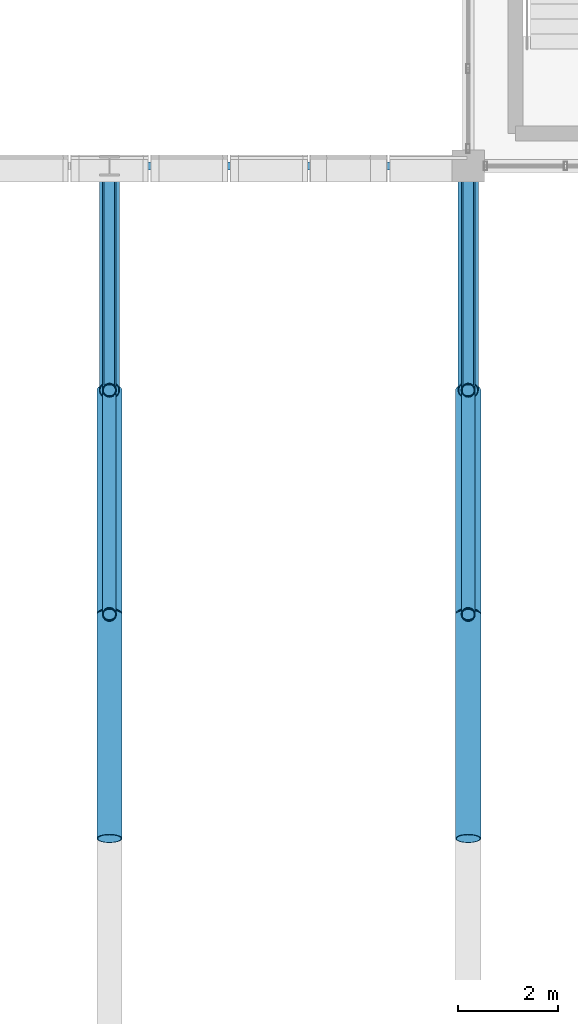
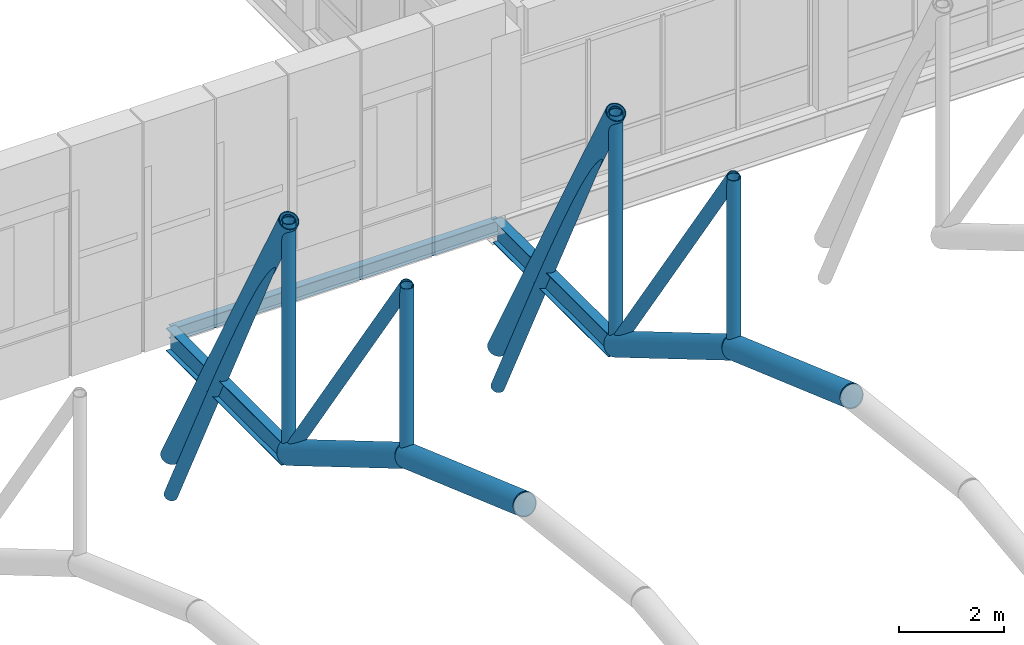
# One storey, part 41 of 144: 14 members, 3 beams.
"""IFC4 building model written with IfcOpenShell, lengths in metres."""

import ifcopenshell
import ifcopenshell.guid

model = None  # the IFC model being written
_history = None  # IfcOwnerHistory: only IFC2X3 demands one
_inside = {}  # id of a spatial element -> (the spatial element, [elements in it])
_under = {}  # id of a project, library or spatial element -> (it, [spatial elements below it])
_declared = {}  # id of a project -> (the project, [libraries it declares])
_typed = {}  # id of a type object -> (the type object, [elements of that type])
_made_of = {}  # id of a material, layer set ... -> (it, [elements and type objects made of it])


def new_model(schema):
    """Start an empty IFC model of exactly this schema.

    Asked for "IFC4X3", IfcOpenShell would pick the latest addendum, in which some entities
    have other attributes; the version numbers below select the first issue.
    IFC2X3 requires an IfcOwnerHistory on every rooted entity: one is made here for all.
    """
    global model, _history
    if schema == "IFC4X3":
        model = ifcopenshell.file(schema_version=(4, 3, 0, 0))
    else:
        model = ifcopenshell.file(schema=schema)
    _inside.clear()
    _under.clear()
    _declared.clear()
    _typed.clear()
    _made_of.clear()
    _history = None
    if model.schema == "IFC2X3":
        org = make("IfcOrganization", Name="unknown")
        user = make(
            "IfcPersonAndOrganization",
            ThePerson=make("IfcPerson", FamilyName="unknown"),
            TheOrganization=org,
        )
        app = make(
            "IfcApplication",
            ApplicationDeveloper=org,
            Version="unknown",
            ApplicationFullName="unknown",
            ApplicationIdentifier="unknown",
        )
        _history = make(
            "IfcOwnerHistory",
            OwningUser=user,
            OwningApplication=app,
            ChangeAction="ADDED",
            CreationDate=0,
        )
    return model


def make(cls, **values):
    """One entity of the class cls with the attributes given. An attribute that is None is left unset."""
    return model.create_entity(
        cls, **{name: value for name, value in values.items() if value is not None}
    )


def rooted(cls, **values):
    """An entity with a GlobalId (a new one), such as an element, a storey or a relation."""
    return make(cls, GlobalId=ifcopenshell.guid.new(), OwnerHistory=_history, **values)


def si_unit(unit_type, name, prefix=None):
    """IfcSIUnit, for example si_unit("LENGTHUNIT", "METRE", prefix="MILLI")."""
    return make("IfcSIUnit", UnitType=unit_type, Prefix=prefix, Name=name)


def assignment(units):
    """IfcUnitAssignment: the units of a project."""
    return None if units is None else make("IfcUnitAssignment", Units=units)


def point(xyz):
    """IfcCartesianPoint."""
    return None if xyz is None else make("IfcCartesianPoint", Coordinates=xyz)


def direction(xyz):
    """IfcDirection."""
    return None if xyz is None else make("IfcDirection", DirectionRatios=xyz)


def frame(location, z_axis=None, x_axis=None):
    """IfcAxis2Placement3D, a coordinate frame: its origin and axes. An axis left out is left unset."""
    return make(
        "IfcAxis2Placement3D",
        Location=point(location),
        Axis=direction(z_axis),
        RefDirection=direction(x_axis),
    )


def frame_2d(location, x_axis=None):
    """IfcAxis2Placement2D, a coordinate frame in the plane: its origin and x axis."""
    return make(
        "IfcAxis2Placement2D", Location=point(location), RefDirection=direction(x_axis)
    )


def origin():
    """The frame at (0, 0, 0) with its axes left unset."""
    return frame((0.0, 0.0, 0.0))


def origin_2d():
    """The frame at (0, 0) in the plane with its x axis left unset."""
    return frame_2d((0.0, 0.0))


def place(relative_to, where):
    """IfcLocalPlacement: puts the frame where relative to a parent placement (None: the world)."""
    return make(
        "IfcLocalPlacement", PlacementRelTo=relative_to, RelativePlacement=where
    )


def context(
    kind, dimensions, precision=None, world=None, true_north=None, identifier=None
):
    """IfcGeometricRepresentationContext, for example the 3D "Model" context."""
    return make(
        "IfcGeometricRepresentationContext",
        ContextIdentifier=identifier,
        ContextType=kind,
        CoordinateSpaceDimension=dimensions,
        Precision=precision,
        WorldCoordinateSystem=world,
        TrueNorth=true_north,
    )


def subcontext(parent, identifier, kind, view, scale=None):
    """IfcGeometricRepresentationSubContext, for example "Body" below "Model"."""
    return make(
        "IfcGeometricRepresentationSubContext",
        ContextIdentifier=identifier,
        ContextType=kind,
        ParentContext=parent,
        TargetScale=scale,
        TargetView=view,
    )


def project(units=None, contexts=None):
    """IfcProject with its units and contexts."""
    return rooted(
        "IfcProject",
        Name="project",
        RepresentationContexts=contexts,
        UnitsInContext=assignment(units),
    )


def spatial(cls, under=None, at=None, **own):
    """A site, building, storey or space (cls), placed at a placement, below another one or the project."""
    s = rooted(cls, ObjectPlacement=at, **own)
    if under is not None:
        _under.setdefault(under.id(), (under, []))[1].append(s)
    return s


def profile(cls, at=None, kind="AREA", **sizes):
    """A parametric profile (cls). Its sizes go by their IFC names, for example OverallWidth=200.0."""
    return make(cls, ProfileType=kind, Position=at, **sizes)


def hollow_circle(**sizes):
    """IfcCircleHollowProfileDef."""
    return profile("IfcCircleHollowProfileDef", **sizes)


def i_section(**sizes):
    """IfcIShapeProfileDef."""
    return profile("IfcIShapeProfileDef", **sizes)


def extrude(swept, where, along, depth):
    """IfcExtrudedAreaSolid: the profile swept, set in the frame where, extruded along a direction by depth."""
    return make(
        "IfcExtrudedAreaSolid",
        SweptArea=swept,
        Position=where,
        ExtrudedDirection=direction(along),
        Depth=depth,
    )


def shape(context_of_items, identifier, shape_type, items):
    """IfcShapeRepresentation: the items that make up one representation, for example the "Body"."""
    return make(
        "IfcShapeRepresentation",
        ContextOfItems=context_of_items,
        RepresentationIdentifier=identifier,
        RepresentationType=shape_type,
        Items=items,
    )


def material(Name=None, Category=None):
    """IfcMaterial."""
    return make("IfcMaterial", Name=Name, Category=Category)


def material_profile(
    of_material, cross_section, Name=None, Category=None, Priority=None
):
    """IfcMaterialProfile: a cross section and its material."""
    return make(
        "IfcMaterialProfile",
        Name=Name,
        Material=of_material,
        Profile=cross_section,
        Priority=Priority,
        Category=Category,
    )


def profile_set(profiles, Name=None, composite=None):
    """IfcMaterialProfileSet."""
    return make(
        "IfcMaterialProfileSet",
        Name=Name,
        MaterialProfiles=profiles,
        CompositeProfile=composite,
    )


def made_of(thing, what):
    """Note that an element or type object is made of a material, layer set ...; save() writes the relation."""
    if what is not None:
        _made_of.setdefault(what.id(), (what, []))[1].append(thing)
    return thing


def type_object(cls, material=None, **own):
    """A type object (cls), such as IfcWallType, which elements share."""
    return made_of(rooted(cls, **own), material)


def element(
    cls,
    number,
    at=None,
    inside=None,
    cuts=None,
    type_object=None,
    material=None,
    context=None,
    identifier="Body",
    shape_type=None,
    held_by="IfcProductDefinitionShape",
    body=None,
    shapes=None,
    **own,
):
    """One element of the class cls, such as IfcWall. Its Tag is "e" and its number.

    at: its placement. inside: the storey or other place that contains it. cuts: it is an
    opening in that element (IfcRelVoidsElement). A single representation is given by context,
    identifier, shape_type and body (its items); several are given by shapes. held_by: the class
    of the entity that holds the representations. save() writes the other relations.
    """
    e = rooted(cls, Tag="e%d" % number, ObjectPlacement=at, **own)
    if body is not None:
        shapes = [shape(context, identifier, shape_type, body)]
    if shapes is not None:
        e.Representation = make(held_by, Representations=shapes)
    if inside is not None:
        _inside.setdefault(inside.id(), (inside, []))[1].append(e)
    if cuts is not None:
        rooted(
            "IfcRelVoidsElement", RelatingBuildingElement=cuts, RelatedOpeningElement=e
        )
    if type_object is not None:
        _typed.setdefault(type_object.id(), (type_object, []))[1].append(e)
    return made_of(e, material)


def aggregate(whole, parts):
    """IfcRelAggregates: a whole, such as a stair, and the parts it consists of."""
    return rooted("IfcRelAggregates", RelatingObject=whole, RelatedObjects=parts)


def save(model, path):
    """Write the relations noted so far, then the file.

    IfcRelAggregates (storeys below a building ...), IfcRelContainedInSpatialStructure (elements
    in a storey), IfcRelDefinesByType, IfcRelAssociatesMaterial and IfcRelDeclares: one each for
    every whole, place, type object, material and project.
    """
    for whole, parts in _under.values():
        aggregate(whole, parts)
    for where, things in _inside.values():
        rooted(
            "IfcRelContainedInSpatialStructure",
            RelatedElements=things,
            RelatingStructure=where,
        )
    for kind, things in _typed.values():
        rooted("IfcRelDefinesByType", RelatedObjects=things, RelatingType=kind)
    for what, things in _made_of.values():
        rooted("IfcRelAssociatesMaterial", RelatedObjects=things, RelatingMaterial=what)
    for by, libraries in _declared.values():
        rooted("IfcRelDeclares", RelatingContext=by, RelatedDefinitions=libraries)
    model.write(path)


model = new_model("IFC4")

# Units and contexts
model_context = context("Model", 3, precision=1e-05, world=origin(), true_north=direction((0.0, 1.0)))
body_context = subcontext(model_context, "Body", "Model", "MODEL_VIEW")
ifc_project = project(units=[si_unit("LENGTHUNIT", "METRE"), si_unit("AREAUNIT", "SQUARE_METRE"), si_unit("VOLUMEUNIT", "CUBIC_METRE"), si_unit("PLANEANGLEUNIT", "RADIAN"), si_unit("MASSUNIT", "GRAM", prefix="KILO")], contexts=[model_context])

# Site, building, storey
site_placement = place(None, origin())
site = spatial("IfcSite", under=ifc_project, at=site_placement, CompositionType="ELEMENT")
building_placement = place(site_placement, origin())
building = spatial("IfcBuilding", under=site, at=building_placement, Name="Yarey Park Central Fire Station", CompositionType="ELEMENT")
storey_placement = place(building_placement, frame((0.0, 0.0, 10.199951171875)))
storey = spatial("IfcBuildingStorey", under=building, at=storey_placement, Name="L03", CompositionType="ELEMENT", Elevation=10.199951171875)

# Beams
ifc_material_1 = material(Name="Steel ASTM A992 Gr. 50", Category="steel")
ifc_material_profile_1 = material_profile(ifc_material_1, i_section(OverallWidth=0.208984375, OverallDepth=0.532958984375, WebThickness=0.01025390625, FlangeThickness=0.015625, at=origin_2d()), Name="W530x92")
ifc_profile_set_1 = profile_set([ifc_material_profile_1], Name="Steel ASTM A992 Gr. 50")
beam_type_1 = type_object("IfcBeamType", Name="STR_BM_W530", PredefinedType="BEAM", material=ifc_profile_set_1)
for number, where, z_axis, x_axis, name in (
    (1, (108.0, 89.199951171875, -0.54638671875), (0.0, 1.0, 0.0), (-1.0, 0.0, 0.0), "V2 BOX OUT N L03 108"),
    (2, (115.199951171875, 89.199951171875, -0.54638671875), (0.0, 1.0, 0.0), (-1.0, 0.0, 0.0), "V2 BOX OUT N L03 115"),
):
    element("IfcBeam", number, at=place(storey_placement, frame(where, z_axis=z_axis, x_axis=x_axis)), inside=storey, type_object=beam_type_1, Name=name, PredefinedType="BEAM", context=body_context, shape_type="SweptSolid", body=[
        extrude(i_section(OverallWidth=0.208984375, OverallDepth=0.532958984375, WebThickness=0.01025390625, FlangeThickness=0.015625, at=origin_2d()), origin(), (0.0, 0.0, 1.0), 4.400146484375),
    ])

# Members
ifc_material_2 = material(Name="Steel ASTM A500 Gr. C", Category="steel")
ifc_material_profile_2 = material_profile(ifc_material_2, hollow_circle(Radius=0.203125, WallThickness=0.01611328125, at=origin_2d()), Name="CHS 406.4x16")
ifc_profile_set_2 = profile_set([ifc_material_profile_2], Name="Steel ASTM A500 Gr. C")
member_type_1 = type_object("IfcMemberType", Name="STR_CHORD_CHS406", PredefinedType="CHORD", material=ifc_profile_set_2)
for number, where, z_axis, x_axis, name in (
    (3, (108.0, 89.10009765625, 4.91748046875), (0.0, 0.481210036658, -0.876605327738), (-1.0, 0.0, 0.0), "Arched Roof Truss ART_08 Top Chord 8"),
    (4, (115.199951171875, 89.10009765625, 4.91748046875), (0.0, 0.481210036658, -0.876605327738), (-1.0, 0.0, 0.0), "Arched Roof Truss ART_09 Top Chord 8"),
):
    element("IfcMember", number, at=place(storey_placement, frame(where, z_axis=z_axis, x_axis=x_axis)), inside=storey, type_object=member_type_1, Name=name, PredefinedType="CHORD", context=body_context, shape_type="SweptSolid", body=[
        extrude(hollow_circle(Radius=0.203125, WallThickness=0.01611328125, at=origin_2d()), origin(), (0.0, 0.0, 1.0), 9.351318359375),
    ])
ifc_material_profile_3 = material_profile(ifc_material_2, hollow_circle(Radius=0.25390625, WallThickness=0.02001953125, at=origin_2d()), Name="CHS 508x20")
ifc_profile_set_3 = profile_set([ifc_material_profile_3], Name="Steel ASTM A500 Gr. C")
member_type_2 = type_object("IfcMemberType", Name="STR_CHORD_CHS508", PredefinedType="CHORD", material=ifc_profile_set_3)
member_1_placement = place(storey_placement, frame((108.0, 80.10009765625, 3.768798828125), z_axis=(0.0, 0.942627225161, -0.333847142245), x_axis=(-1.0, 0.0, 0.0)))
element("IfcMember", 5, at=member_1_placement, inside=storey, type_object=member_type_2, Name="Arched Roof Truss ART_08 Bottom Chord 6", PredefinedType="CHORD", context=body_context, shape_type="SweptSolid", body=[
    extrude(hollow_circle(Radius=0.25390625, WallThickness=0.02001953125, at=origin_2d()), origin(), (0.0, 0.0, 1.0), 4.77392578125),
])
member_2_placement = place(storey_placement, frame((108.0, 84.60009765625, 2.175048828125), z_axis=(0.0, 0.8611645473, -0.508326295281), x_axis=(-1.0, 0.0, 0.0)))
element("IfcMember", 6, at=member_2_placement, inside=storey, type_object=member_type_2, Name="Arched Roof Truss ART_08 Bottom Chord 7", PredefinedType="CHORD", context=body_context, shape_type="SweptSolid", body=[
    extrude(hollow_circle(Radius=0.25390625, WallThickness=0.02001953125, at=origin_2d()), origin(), (0.0, 0.0, 1.0), 5.2255859375),
])
member_3_placement = place(storey_placement, frame((115.199951171875, 80.10009765625, 3.768798828125), z_axis=(0.0, 0.942627225161, -0.333847142245), x_axis=(-1.0, 0.0, 0.0)))
element("IfcMember", 7, at=member_3_placement, inside=storey, type_object=member_type_2, Name="Arched Roof Truss ART_09 Bottom Chord 6", PredefinedType="CHORD", context=body_context, shape_type="SweptSolid", body=[
    extrude(hollow_circle(Radius=0.25390625, WallThickness=0.02001953125, at=origin_2d()), origin(), (0.0, 0.0, 1.0), 4.77392578125),
])
member_4_placement = place(storey_placement, frame((115.199951171875, 84.60009765625, 2.175048828125), z_axis=(0.0, 0.8611645473, -0.508326295281), x_axis=(-1.0, 0.0, 0.0)))
element("IfcMember", 8, at=member_4_placement, inside=storey, type_object=member_type_2, Name="Arched Roof Truss ART_09 Bottom Chord 7", PredefinedType="CHORD", context=body_context, shape_type="SweptSolid", body=[
    extrude(hollow_circle(Radius=0.25390625, WallThickness=0.02001953125, at=origin_2d()), origin(), (0.0, 0.0, 1.0), 5.2255859375),
])

# Beam
ifc_material_profile_4 = material_profile(ifc_material_1, i_section(OverallWidth=0.1650390625, OverallDepth=0.31005859375, WebThickness=0.005859375, FlangeThickness=0.009765625, at=origin_2d()), Name="W310x39")
ifc_profile_set_4 = profile_set([ifc_material_profile_4], Name="Steel ASTM A992 Gr. 50")
beam_type_2 = type_object("IfcBeamType", Name="STR_SPN_W310", PredefinedType="SPANDREL", material=ifc_profile_set_4)
beam_placement = place(storey_placement, frame((108.0, 93.60009765625, -0.43505859375), z_axis=(1.0, 0.0, 0.0), x_axis=(0.0, 1.0, 0.0)))
element("IfcBeam", 9, at=beam_placement, inside=storey, type_object=beam_type_2, Name="V2 BOX GIRT N B1 08", PredefinedType="SPANDREL", context=body_context, shape_type="SweptSolid", body=[
    extrude(i_section(OverallWidth=0.1650390625, OverallDepth=0.31005859375, WebThickness=0.005859375, FlangeThickness=0.009765625, at=origin_2d()), origin(), (0.0, 0.0, 1.0), 7.199951171875),
])

# Members
ifc_material_profile_5 = material_profile(ifc_material_2, hollow_circle(Radius=0.136474609375, WallThickness=0.012451171875, at=origin_2d()), Name="CHS 273x12.5")
ifc_profile_set_5 = profile_set([ifc_material_profile_5], Name="Steel ASTM A500 Gr. C")
member_type_3 = type_object("IfcMemberType", Name="STR_WEB_CHS273", PredefinedType="BRACE", material=ifc_profile_set_5)
member_5_placement = place(storey_placement, frame((108.0, 84.60009765625, 6.14013671875), z_axis=(0.0, 0.562095632178, -0.82707224611), x_axis=(-1.0, 0.0, 0.0)))
element("IfcMember", 10, at=member_5_placement, inside=storey, type_object=member_type_3, Name="Arched Roof Truss ART_08 Diagonal 7", PredefinedType="BRACE", context=body_context, shape_type="SweptSolid", body=[
    extrude(hollow_circle(Radius=0.136474609375, WallThickness=0.012451171875, at=origin_2d()), origin(), (0.0, 0.0, 1.0), 8.005859375),
])
member_6_placement = place(storey_placement, frame((108.0, 89.10009765625, 4.91748046875), z_axis=(0.0, 0.442587736107, -0.89672520643), x_axis=(-1.0, 0.0, 0.0)))
element("IfcMember", 11, at=member_6_placement, inside=storey, type_object=member_type_3, Name="Arched Roof Truss ART_08 Diagonal 8", PredefinedType="BRACE", context=body_context, shape_type="SweptSolid", body=[
    extrude(hollow_circle(Radius=0.136474609375, WallThickness=0.012451171875, at=origin_2d()), origin(), (0.0, 0.0, 1.0), 10.16748046875),
])
member_7_placement = place(storey_placement, frame((108.0, 84.60009765625, 2.175048828125), z_axis=(0.0, 0.0, 1.0), x_axis=(1.0, 0.0, 0.0)))
element("IfcMember", 12, at=member_7_placement, inside=storey, type_object=member_type_3, Name="Arched Roof Truss ART_08 Vertical 7", PredefinedType="BRACE", context=body_context, shape_type="SweptSolid", body=[
    extrude(hollow_circle(Radius=0.136474609375, WallThickness=0.012451171875, at=origin_2d()), origin(), (0.0, 0.0, 1.0), 3.965087890625),
])
member_8_placement = place(storey_placement, frame((108.0, 89.10009765625, -0.481201171875), z_axis=(0.0, 0.0, 1.0), x_axis=(1.0, 0.0, 0.0)))
element("IfcMember", 13, at=member_8_placement, inside=storey, type_object=member_type_3, Name="Arched Roof Truss ART_08 Vertical 8", PredefinedType="BRACE", context=body_context, shape_type="SweptSolid", body=[
    extrude(hollow_circle(Radius=0.136474609375, WallThickness=0.012451171875, at=origin_2d()), origin(), (0.0, 0.0, 1.0), 5.398681640625),
])
member_9_placement = place(storey_placement, frame((115.199951171875, 84.60009765625, 6.14013671875), z_axis=(0.0, 0.562095632178, -0.82707224611), x_axis=(-1.0, 0.0, 0.0)))
element("IfcMember", 14, at=member_9_placement, inside=storey, type_object=member_type_3, Name="Arched Roof Truss ART_09 Diagonal 7", PredefinedType="BRACE", context=body_context, shape_type="SweptSolid", body=[
    extrude(hollow_circle(Radius=0.136474609375, WallThickness=0.012451171875, at=origin_2d()), origin(), (0.0, 0.0, 1.0), 8.005859375),
])
member_10_placement = place(storey_placement, frame((115.199951171875, 89.10009765625, 4.91748046875), z_axis=(0.0, 0.442587736107, -0.89672520643), x_axis=(-1.0, 0.0, 0.0)))
element("IfcMember", 15, at=member_10_placement, inside=storey, type_object=member_type_3, Name="Arched Roof Truss ART_09 Diagonal 8", PredefinedType="BRACE", context=body_context, shape_type="SweptSolid", body=[
    extrude(hollow_circle(Radius=0.136474609375, WallThickness=0.012451171875, at=origin_2d()), origin(), (0.0, 0.0, 1.0), 10.16748046875),
])
member_11_placement = place(storey_placement, frame((115.199951171875, 84.60009765625, 2.175048828125), z_axis=(0.0, 0.0, 1.0), x_axis=(1.0, 0.0, 0.0)))
element("IfcMember", 16, at=member_11_placement, inside=storey, type_object=member_type_3, Name="Arched Roof Truss ART_09 Vertical 7", PredefinedType="BRACE", context=body_context, shape_type="SweptSolid", body=[
    extrude(hollow_circle(Radius=0.136474609375, WallThickness=0.012451171875, at=origin_2d()), origin(), (0.0, 0.0, 1.0), 3.965087890625),
])
member_12_placement = place(storey_placement, frame((115.199951171875, 89.10009765625, -0.481201171875), z_axis=(0.0, 0.0, 1.0), x_axis=(1.0, 0.0, 0.0)))
element("IfcMember", 17, at=member_12_placement, inside=storey, type_object=member_type_3, Name="Arched Roof Truss ART_09 Vertical 8", PredefinedType="BRACE", context=body_context, shape_type="SweptSolid", body=[
    extrude(hollow_circle(Radius=0.136474609375, WallThickness=0.012451171875, at=origin_2d()), origin(), (0.0, 0.0, 1.0), 5.398681640625),
])

save(model, "model.ifc")
